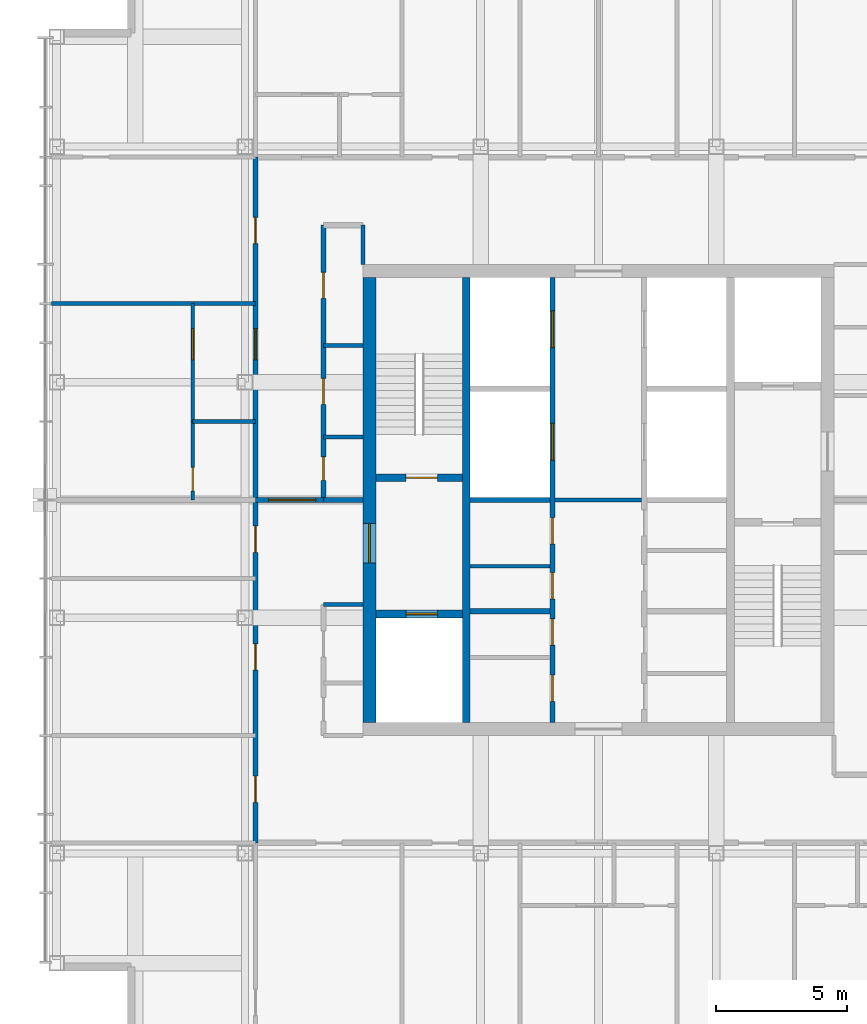
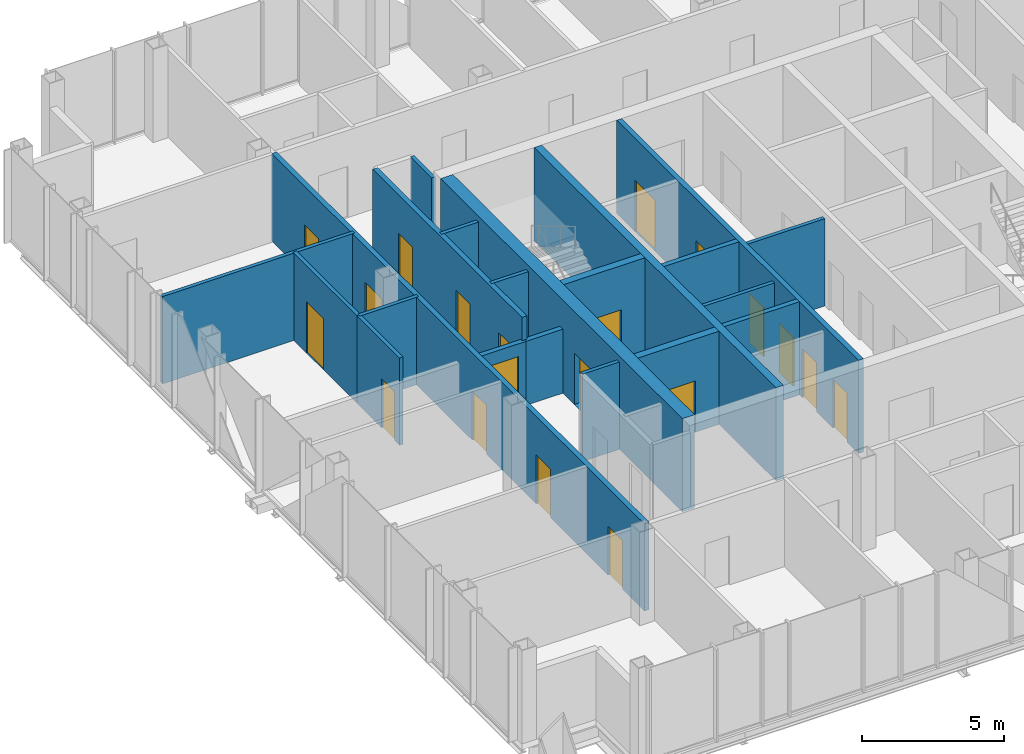
# One storey, part 8 of 12: 21 walls, 20 doors, 20 openings.
"""IFC4 building model written with IfcOpenShell, lengths in metres."""

from ifc_helpers import new_model, si_unit, direction, frame, frame_2d, origin, place, context, subcontext, project, spatial, rectangle, extrude, material, layer, layer_set, type_object, element, fill, save


model = new_model("IFC4")

# Units and contexts
model_context = context("Model", 3, precision=1e-05, world=origin(), true_north=direction((0.0, 1.0)))
body_context = subcontext(model_context, "Body", "Model", "MODEL_VIEW")
ifc_project = project(units=[si_unit("LENGTHUNIT", "METRE"), si_unit("AREAUNIT", "SQUARE_METRE"), si_unit("VOLUMEUNIT", "CUBIC_METRE"), si_unit("PLANEANGLEUNIT", "RADIAN"), si_unit("MASSUNIT", "GRAM", prefix="KILO")], contexts=[model_context])

# Site, building, storey
site_placement = place(None, origin())
site = spatial("IfcSite", under=ifc_project, at=site_placement, CompositionType="ELEMENT")
building_placement = place(site_placement, origin())
building = spatial("IfcBuilding", under=site, at=building_placement, Name="Malebo Sky Hospital", CompositionType="ELEMENT")
storey_placement = place(building_placement, frame((0.0, 0.0, 270.0)))
storey = spatial("IfcBuildingStorey", under=building, at=storey_placement, Name="L65", CompositionType="ELEMENT", Elevation=270.0)

# Wall, openings, doors
ifc_material_1 = material(Name="Concrete C80/95", Category="concrete")
ifc_layer_1 = layer(ifc_material_1, 0.199951171875)
ifc_layer_set_1 = layer_set([ifc_layer_1], Name="CORE INNER WALL 200")
wall_type_1 = type_object("IfcWallType", Name="CORE INNER WALL 200", PredefinedType="SHEAR", material=ifc_layer_set_1)
wall_1_placement = place(storey_placement, frame((58.25, 53.5, 0.0), z_axis=(0.0, 0.0, 1.0), x_axis=(0.0, 1.0, 0.0)))
wall_1 = element("IfcWall", 1, at=wall_1_placement, inside=storey, type_object=wall_type_1, Name="Core wall LW L65", PredefinedType="SHEAR", context=body_context, shape_type="SweptSolid", body=[
    extrude(rectangle(XDim=17.0, YDim=0.199951171875, at=frame_2d((8.5, 0.0))), origin(), (0.0, 0.0, 1.0), 4.0),
])
opening_1_placement = place(wall_1_placement, frame((0.8076171875, 0.0, 0.0)))
opening_1 = element("IfcOpeningElement", 2, at=opening_1_placement, cuts=wall_1, Name="Opening D17", PredefinedType="OPENING", context=body_context, shape_type="SweptSolid", body=[
    extrude(rectangle(XDim=1.0, YDim=2.10009765625, at=frame_2d((0.5, 1.050048828125))), frame((0.0, 0.10986328125, 0.0), z_axis=(0.0, -1.0, 0.0), x_axis=(1.0, 0.0, 0.0)), (0.0, 0.0, 1.0), 0.219970703125),
])
opening_2_placement = place(wall_1_placement, frame((2.95751953125, 0.0, 0.0)))
opening_2 = element("IfcOpeningElement", 3, at=opening_2_placement, cuts=wall_1, Name="Opening D17", PredefinedType="OPENING", context=body_context, shape_type="SweptSolid", body=[
    extrude(rectangle(XDim=1.0, YDim=2.10009765625, at=frame_2d((0.5, 1.050048828125))), frame((0.0, 0.10986328125, 0.0), z_axis=(0.0, -1.0, 0.0), x_axis=(1.0, 0.0, 0.0)), (0.0, 0.0, 1.0), 0.219970703125),
])
opening_3_placement = place(wall_1_placement, frame((4.722412109375, 0.0, 0.0)))
opening_3 = element("IfcOpeningElement", 4, at=opening_3_placement, cuts=wall_1, Name="Opening D17", PredefinedType="OPENING", context=body_context, shape_type="SweptSolid", body=[
    extrude(rectangle(XDim=1.0, YDim=2.10009765625, at=frame_2d((0.5, 1.050048828125))), frame((0.0, 0.10986328125, 0.0), z_axis=(0.0, -1.0, 0.0), x_axis=(1.0, 0.0, 0.0)), (0.0, 0.0, 1.0), 0.219970703125),
])
opening_4_placement = place(wall_1_placement, frame((6.822509765625, 0.0, 0.0)))
opening_4 = element("IfcOpeningElement", 5, at=opening_4_placement, cuts=wall_1, Name="Opening D17", PredefinedType="OPENING", context=body_context, shape_type="SweptSolid", body=[
    extrude(rectangle(XDim=1.0, YDim=2.10009765625, at=frame_2d((0.5, 1.050048828125))), frame((0.0, 0.10986328125, 0.0), z_axis=(0.0, -1.0, 0.0), x_axis=(1.0, 0.0, 0.0)), (0.0, 0.0, 1.0), 0.219970703125),
])
opening_5_placement = place(wall_1_placement, frame((10.02490234375, 0.0, 0.0)))
opening_5 = element("IfcOpeningElement", 6, at=opening_5_placement, cuts=wall_1, Name="Opening LD1", PredefinedType="OPENING", context=body_context, shape_type="SweptSolid", body=[
    extrude(rectangle(XDim=1.39990234375, YDim=2.199951171875, at=frame_2d((0.699951171875, 1.10009765625))), frame((0.0, 0.10986328125, 0.0), z_axis=(0.0, -1.0, 0.0), x_axis=(1.0, 0.0, 0.0)), (0.0, 0.0, 1.0), 0.219970703125),
])
opening_6_placement = place(wall_1_placement, frame((14.324951171875, 0.0, 0.0)))
opening_6 = element("IfcOpeningElement", 7, at=opening_6_placement, cuts=wall_1, Name="Opening LD1", PredefinedType="OPENING", context=body_context, shape_type="SweptSolid", body=[
    extrude(rectangle(XDim=1.39990234375, YDim=2.199951171875, at=frame_2d((0.699951171875, 1.10009765625))), frame((0.0, 0.10986328125, 0.0), z_axis=(0.0, -1.0, 0.0), x_axis=(1.0, 0.0, 0.0)), (0.0, 0.0, 1.0), 0.219970703125),
])
ifc_material_2 = material(Name="Hardwood-faced door leaf in steel frame", Category="steel")
door_type_1 = type_object("IfcDoorType", Name="FIRE DOOR 1000", OperationType="SINGLE_SWING_LEFT", PredefinedType="DOOR", material=ifc_material_2)
door_1_placement = place(opening_1_placement, origin())
door_1 = element("IfcDoor", 8, at=door_1_placement, inside=storey, type_object=door_type_1, Name="Records store door", OperationType="SINGLE_SWING_RIGHT", OverallHeight=2.10009765625, OverallWidth=1.0, PredefinedType="DOOR", context=body_context, shape_type="SweptSolid", body=[
    extrude(rectangle(XDim=1.0, YDim=2.10009765625, at=frame_2d((0.5, 1.050048828125))), frame((0.0, 0.02490234375, 0.0), z_axis=(0.0, -1.0, 0.0), x_axis=(1.0, 0.0, 0.0)), (0.0, 0.0, 1.0), 0.050048828125),
])
fill(opening_1, door_1)
door_2_placement = place(opening_2_placement, origin())
door_2 = element("IfcDoor", 9, at=door_2_placement, inside=storey, type_object=door_type_1, Name="Equipment store door", OperationType="SINGLE_SWING_RIGHT", OverallHeight=2.10009765625, OverallWidth=1.0, PredefinedType="DOOR", context=body_context, shape_type="SweptSolid", body=[
    extrude(rectangle(XDim=1.0, YDim=2.10009765625, at=frame_2d((0.5, 1.050048828125))), frame((0.0, 0.02490234375, 0.0), z_axis=(0.0, -1.0, 0.0), x_axis=(1.0, 0.0, 0.0)), (0.0, 0.0, 1.0), 0.050048828125),
])
fill(opening_2, door_2)
door_3_placement = place(opening_3_placement, origin())
door_3 = element("IfcDoor", 10, at=door_3_placement, inside=storey, type_object=door_type_1, Name="Linen store door", OperationType="SINGLE_SWING_RIGHT", OverallHeight=2.10009765625, OverallWidth=1.0, PredefinedType="DOOR", context=body_context, shape_type="SweptSolid", body=[
    extrude(rectangle(XDim=1.0, YDim=2.10009765625, at=frame_2d((0.5, 1.050048828125))), frame((0.0, 0.02490234375, 0.0), z_axis=(0.0, -1.0, 0.0), x_axis=(1.0, 0.0, 0.0)), (0.0, 0.0, 1.0), 0.050048828125),
])
fill(opening_3, door_3)
door_4_placement = place(opening_4_placement, origin())
door_4 = element("IfcDoor", 11, at=door_4_placement, inside=storey, type_object=door_type_1, Name="Supplies store door", OperationType="SINGLE_SWING_RIGHT", OverallHeight=2.10009765625, OverallWidth=1.0, PredefinedType="DOOR", context=body_context, shape_type="SweptSolid", body=[
    extrude(rectangle(XDim=1.0, YDim=2.10009765625, at=frame_2d((0.5, 1.050048828125))), frame((0.0, 0.02490234375, 0.0), z_axis=(0.0, -1.0, 0.0), x_axis=(1.0, 0.0, 0.0)), (0.0, 0.0, 1.0), 0.050048828125),
])
fill(opening_4, door_4)
ifc_material_3 = material(Name="Stainless steel sliding landing door", Category="steel")
door_type_2 = type_object("IfcDoorType", Name="LIFT LANDING DOOR 1400", OperationType="SLIDING_TO_LEFT", PredefinedType="DOOR", material=ifc_material_3)
door_5_placement = place(opening_5_placement, origin())
door_5 = element("IfcDoor", 12, at=door_5_placement, inside=storey, type_object=door_type_2, Name="Lift W3 landing door", OperationType="SLIDING_TO_LEFT", OverallHeight=2.199951171875, OverallWidth=1.39990234375, PredefinedType="DOOR", context=body_context, shape_type="SweptSolid", body=[
    extrude(rectangle(XDim=1.39990234375, YDim=2.199951171875, at=frame_2d((0.699951171875, 1.10009765625))), frame((0.0, 0.02490234375, 0.0), z_axis=(0.0, -1.0, 0.0), x_axis=(1.0, 0.0, 0.0)), (0.0, 0.0, 1.0), 0.050048828125),
])
fill(opening_5, door_5)
door_6_placement = place(opening_6_placement, origin())
door_6 = element("IfcDoor", 13, at=door_6_placement, inside=storey, type_object=door_type_2, Name="Lift W4 landing door", OperationType="SLIDING_TO_LEFT", OverallHeight=2.199951171875, OverallWidth=1.39990234375, PredefinedType="DOOR", context=body_context, shape_type="SweptSolid", body=[
    extrude(rectangle(XDim=1.39990234375, YDim=2.199951171875, at=frame_2d((0.699951171875, 1.10009765625))), frame((0.0, 0.02490234375, 0.0), z_axis=(0.0, -1.0, 0.0), x_axis=(1.0, 0.0, 0.0)), (0.0, 0.0, 1.0), 0.050048828125),
])
fill(opening_6, door_6)

# Walls
for number, where, z_axis, x_axis, name in (
    (14, (55.10009765625, 57.75, 0.0), (0.0, 0.0, 1.0), (1.0, 0.0, 0.0), "Core wall SW0 L65"),
    (15, (55.10009765625, 62.0, 0.0), (0.0, 0.0, 1.0), (1.0, 0.0, 0.0), "Core wall SW1 L65"),
):
    element("IfcWall", number, at=place(storey_placement, frame(where, z_axis=z_axis, x_axis=x_axis)), inside=storey, type_object=wall_type_1, Name=name, PredefinedType="SHEAR", context=body_context, shape_type="SweptSolid", body=[
        extrude(rectangle(XDim=3.0498046875, YDim=0.199951171875, at=frame_2d((1.52490234375, 0.0))), origin(), (0.0, 0.0, 1.0), 4.0),
    ])
ifc_layer_2 = layer(ifc_material_1, 0.300048828125)
ifc_layer_set_2 = layer_set([ifc_layer_2], Name="CORE INNER WALL 300")
wall_type_2 = type_object("IfcWallType", Name="CORE INNER WALL 300", PredefinedType="SHEAR", material=ifc_layer_set_2)
wall_2_placement = place(storey_placement, frame((54.949951171875, 53.5, 0.0), z_axis=(0.0, 0.0, 1.0), x_axis=(0.0, 1.0, 0.0)))
element("IfcWall", 16, at=wall_2_placement, inside=storey, type_object=wall_type_2, Name="Core wall XW L65", PredefinedType="SHEAR", context=body_context, shape_type="SweptSolid", body=[
    extrude(rectangle(XDim=17.0, YDim=0.300048828125, at=frame_2d((8.5, 0.0))), origin(), (0.0, 0.0, 1.0), 4.0),
])

# Wall, opening, door
wall_3_placement = place(storey_placement, frame((51.5, 62.85009765625, 0.0), z_axis=(0.0, 0.0, 1.0), x_axis=(1.0, 0.0, 0.0)))
wall_3 = element("IfcWall", 17, at=wall_3_placement, inside=storey, type_object=wall_type_2, Name="Core wall W1 L65", PredefinedType="SHEAR", context=body_context, shape_type="SweptSolid", body=[
    extrude(rectangle(XDim=3.300048828125, YDim=0.300048828125, at=frame_2d((1.64990234375, 0.0))), origin(), (0.0, 0.0, 1.0), 4.0),
])
opening_7_placement = place(wall_3_placement, frame((1.14990234375, 0.0, 0.0)))
opening_7 = element("IfcOpeningElement", 18, at=opening_7_placement, cuts=wall_3, Name="Opening D08", PredefinedType="OPENING", context=body_context, shape_type="SweptSolid", body=[
    extrude(rectangle(XDim=1.199951171875, YDim=2.10009765625, at=frame_2d((0.60009765625, 1.050048828125))), frame((0.0, 0.159912109375, 0.0), z_axis=(0.0, -1.0, 0.0), x_axis=(1.0, 0.0, 0.0)), (0.0, 0.0, 1.0), 0.320068359375),
])
door_type_3 = type_object("IfcDoorType", Name="STAIR DOOR 1200", OperationType="SINGLE_SWING_LEFT", PredefinedType="DOOR", material=ifc_material_2)
door_7_placement = place(opening_7_placement, origin())
door_7 = element("IfcDoor", 19, at=door_7_placement, inside=storey, type_object=door_type_3, Name="Stair S1 door", OperationType="SINGLE_SWING_RIGHT", OverallHeight=2.10009765625, OverallWidth=1.199951171875, PredefinedType="DOOR", context=body_context, shape_type="SweptSolid", body=[
    extrude(rectangle(XDim=1.199951171875, YDim=2.10009765625, at=frame_2d((0.60009765625, 1.050048828125))), frame((0.0, 0.02490234375, 0.0), z_axis=(0.0, -1.0, 0.0), x_axis=(1.0, 0.0, 0.0)), (0.0, 0.0, 1.0), 0.050048828125),
])
fill(opening_7, door_7)

wall_4_placement = place(storey_placement, frame((51.5, 57.64990234375, 0.0), z_axis=(0.0, 0.0, 1.0), x_axis=(1.0, 0.0, 0.0)))
wall_4 = element("IfcWall", 20, at=wall_4_placement, inside=storey, type_object=wall_type_2, Name="Core wall W2 L65", PredefinedType="SHEAR", context=body_context, shape_type="SweptSolid", body=[
    extrude(rectangle(XDim=3.300048828125, YDim=0.300048828125, at=frame_2d((1.64990234375, 0.0))), origin(), (0.0, 0.0, 1.0), 4.0),
])
opening_8_placement = place(wall_4_placement, frame((1.14990234375, 0.0, 0.0)))
opening_8 = element("IfcOpeningElement", 21, at=opening_8_placement, cuts=wall_4, Name="Opening LD2", PredefinedType="OPENING", context=body_context, shape_type="SweptSolid", body=[
    extrude(rectangle(XDim=1.199951171875, YDim=2.199951171875, at=frame_2d((0.60009765625, 1.10009765625))), frame((0.0, 0.159912109375, 0.0), z_axis=(0.0, -1.0, 0.0), x_axis=(1.0, 0.0, 0.0)), (0.0, 0.0, 1.0), 0.320068359375),
])
door_type_4 = type_object("IfcDoorType", Name="FIRE-FIGHTING LIFT LANDING DOOR 1200", OperationType="SLIDING_TO_LEFT", PredefinedType="DOOR", material=ifc_material_3)
door_8_placement = place(opening_8_placement, origin())
door_8 = element("IfcDoor", 22, at=door_8_placement, inside=storey, type_object=door_type_4, Name="Lift FL1 landing door", OperationType="SLIDING_TO_LEFT", OverallHeight=2.199951171875, OverallWidth=1.199951171875, PredefinedType="DOOR", context=body_context, shape_type="SweptSolid", body=[
    extrude(rectangle(XDim=1.199951171875, YDim=2.199951171875, at=frame_2d((0.60009765625, 1.10009765625))), frame((0.0, 0.02490234375, 0.0), z_axis=(0.0, -1.0, 0.0), x_axis=(1.0, 0.0, 0.0)), (0.0, 0.0, 1.0), 0.050048828125),
])
fill(opening_8, door_8)

ifc_layer_3 = layer(ifc_material_1, 0.5)
ifc_layer_set_3 = layer_set([ifc_layer_3], Name="CORE WALL 500")
wall_type_3 = type_object("IfcWallType", Name="CORE WALL 500", PredefinedType="SHEAR", material=ifc_layer_set_3)
wall_5_placement = place(storey_placement, frame((51.25, 53.5, 0.0), z_axis=(0.0, 0.0, 1.0), x_axis=(0.0, 1.0, 0.0)))
wall_5 = element("IfcWall", 23, at=wall_5_placement, inside=storey, type_object=wall_type_3, Name="Core wall W L65", PredefinedType="SHEAR", context=body_context, shape_type="SweptSolid", body=[
    extrude(rectangle(XDim=17.0, YDim=0.5, at=frame_2d((8.5, 0.0))), origin(), (0.0, 0.0, 1.0), 4.0),
])
opening_9_placement = place(wall_5_placement, frame((6.10009765625, 0.0, 0.0)))
opening_9 = element("IfcOpeningElement", 24, at=opening_9_placement, cuts=wall_5, Name="Opening D07", PredefinedType="OPENING", context=body_context, shape_type="SweptSolid", body=[
    extrude(rectangle(XDim=1.5, YDim=2.199951171875, at=frame_2d((0.75, 1.10009765625))), frame((0.0, 0.260009765625, 0.0), z_axis=(0.0, -1.0, 0.0), x_axis=(1.0, 0.0, 0.0)), (0.0, 0.0, 1.0), 0.52001953125),
])
door_type_5 = type_object("IfcDoorType", Name="FIRE-FIGHTING LOBBY DOOR PAIR 1500", OperationType="DOUBLE_DOOR_SINGLE_SWING", PredefinedType="DOOR", material=ifc_material_2)
door_9_placement = place(opening_9_placement, origin())
door_9 = element("IfcDoor", 25, at=door_9_placement, inside=storey, type_object=door_type_5, Name="Fire-fighting lobby door west", OperationType="DOUBLE_DOOR_SINGLE_SWING", OverallHeight=2.199951171875, OverallWidth=1.5, PredefinedType="DOOR", context=body_context, shape_type="SweptSolid", body=[
    extrude(rectangle(XDim=1.5, YDim=2.199951171875, at=frame_2d((0.75, 1.10009765625))), frame((0.0, 0.02490234375, 0.0), z_axis=(0.0, -1.0, 0.0), x_axis=(1.0, 0.0, 0.0)), (0.0, 0.0, 1.0), 0.050048828125),
])
fill(opening_9, door_9)

# Wall, openings, doors
ifc_material_4 = material(Name="Gypsum board on steel studs", Category="steel")
ifc_layer_4 = layer(ifc_material_4, 0.199951171875)
ifc_layer_set_4 = layer_set([ifc_layer_4], Name="CORRIDOR WALL 200")
wall_type_4 = type_object("IfcWallType", Name="CORRIDOR WALL 200", PredefinedType="PARTITIONING", material=ifc_layer_set_4)
wall_6_placement = place(storey_placement, frame((46.89990234375, 48.89990234375, 0.0), z_axis=(0.0, 0.0, 1.0), x_axis=(0.0, 1.0, 0.0)))
wall_6 = element("IfcWall", 26, at=wall_6_placement, inside=storey, type_object=wall_type_4, Name="Corridor Wall 200 WCO", PredefinedType="PARTITIONING", context=body_context, shape_type="SweptSolid", body=[
    extrude(rectangle(XDim=26.2001953125, YDim=0.199951171875, at=frame_2d((13.10009765625, 0.0))), origin(), (0.0, 0.0, 1.0), 3.75),
])
opening_10_placement = place(wall_6_placement, frame((1.550048828125, 0.0, 0.0)))
opening_10 = element("IfcOpeningElement", 27, at=opening_10_placement, cuts=wall_6, Name="Opening D03", PredefinedType="OPENING", context=body_context, shape_type="SweptSolid", body=[
    extrude(rectangle(XDim=1.0, YDim=2.10009765625, at=frame_2d((0.5, 1.050048828125))), frame((0.0, 0.10986328125, 0.0), z_axis=(0.0, -1.0, 0.0), x_axis=(1.0, 0.0, 0.0)), (0.0, 0.0, 1.0), 0.219970703125),
])
opening_11_placement = place(wall_6_placement, frame((6.60009765625, 0.0, 0.0)))
opening_11 = element("IfcOpeningElement", 28, at=opening_11_placement, cuts=wall_6, Name="Opening D03", PredefinedType="OPENING", context=body_context, shape_type="SweptSolid", body=[
    extrude(rectangle(XDim=1.0, YDim=2.10009765625, at=frame_2d((0.5, 1.050048828125))), frame((0.0, 0.10986328125, 0.0), z_axis=(0.0, -1.0, 0.0), x_axis=(1.0, 0.0, 0.0)), (0.0, 0.0, 1.0), 0.219970703125),
])
opening_12_placement = place(wall_6_placement, frame((11.10009765625, 0.0, 0.0)))
opening_12 = element("IfcOpeningElement", 29, at=opening_12_placement, cuts=wall_6, Name="Opening D03", PredefinedType="OPENING", context=body_context, shape_type="SweptSolid", body=[
    extrude(rectangle(XDim=1.0, YDim=2.10009765625, at=frame_2d((0.5, 1.050048828125))), frame((0.0, 0.10986328125, 0.0), z_axis=(0.0, -1.0, 0.0), x_axis=(1.0, 0.0, 0.0)), (0.0, 0.0, 1.0), 0.219970703125),
])
opening_13_placement = place(wall_6_placement, frame((18.449951171875, 0.0, 0.0)))
opening_13 = element("IfcOpeningElement", 30, at=opening_13_placement, cuts=wall_6, Name="Opening D18", PredefinedType="OPENING", context=body_context, shape_type="SweptSolid", body=[
    extrude(rectangle(XDim=1.199951171875, YDim=2.199951171875, at=frame_2d((0.60009765625, 1.10009765625))), frame((0.0, 0.10986328125, 0.0), z_axis=(0.0, -1.0, 0.0), x_axis=(1.0, 0.0, 0.0)), (0.0, 0.0, 1.0), 0.219970703125),
])
opening_14_placement = place(wall_6_placement, frame((22.89990234375, 0.0, 0.0)))
opening_14 = element("IfcOpeningElement", 31, at=opening_14_placement, cuts=wall_6, Name="Opening D03", PredefinedType="OPENING", context=body_context, shape_type="SweptSolid", body=[
    extrude(rectangle(XDim=1.0, YDim=2.10009765625, at=frame_2d((0.5, 1.050048828125))), frame((0.0, 0.10986328125, 0.0), z_axis=(0.0, -1.0, 0.0), x_axis=(1.0, 0.0, 0.0)), (0.0, 0.0, 1.0), 0.219970703125),
])
door_type_6 = type_object("IfcDoorType", Name="ANTEROOM DOOR 1200", OperationType="SINGLE_SWING_LEFT", PredefinedType="DOOR", material=ifc_material_2)
door_10_placement = place(opening_13_placement, origin())
door_10 = element("IfcDoor", 32, at=door_10_placement, inside=storey, type_object=door_type_6, Name="Anteroom door", OperationType="SINGLE_SWING_RIGHT", OverallHeight=2.199951171875, OverallWidth=1.199951171875, PredefinedType="DOOR", context=body_context, shape_type="SweptSolid", body=[
    extrude(rectangle(XDim=1.199951171875, YDim=2.199951171875, at=frame_2d((0.60009765625, 1.10009765625))), frame((0.0, 0.02490234375, 0.0), z_axis=(0.0, -1.0, 0.0), x_axis=(1.0, 0.0, 0.0)), (0.0, 0.0, 1.0), 0.050048828125),
])
fill(opening_13, door_10)
door_type_7 = type_object("IfcDoorType", Name="ROOM DOOR 1000", OperationType="SINGLE_SWING_LEFT", PredefinedType="DOOR", material=ifc_material_2)
door_11_placement = place(opening_10_placement, origin())
door_11 = element("IfcDoor", 33, at=door_11_placement, inside=storey, type_object=door_type_7, Name="Dirty utility room door", OperationType="SINGLE_SWING_LEFT", OverallHeight=2.10009765625, OverallWidth=1.0, PredefinedType="DOOR", context=body_context, shape_type="SweptSolid", body=[
    extrude(rectangle(XDim=1.0, YDim=2.10009765625, at=frame_2d((0.5, 1.050048828125))), frame((0.0, 0.02490234375, 0.0), z_axis=(0.0, -1.0, 0.0), x_axis=(1.0, 0.0, 0.0)), (0.0, 0.0, 1.0), 0.050048828125),
])
fill(opening_10, door_11)
door_12_placement = place(opening_11_placement, origin())
door_12 = element("IfcDoor", 34, at=door_12_placement, inside=storey, type_object=door_type_7, Name="Stem cell infusion room door", OperationType="SINGLE_SWING_LEFT", OverallHeight=2.10009765625, OverallWidth=1.0, PredefinedType="DOOR", context=body_context, shape_type="SweptSolid", body=[
    extrude(rectangle(XDim=1.0, YDim=2.10009765625, at=frame_2d((0.5, 1.050048828125))), frame((0.0, 0.02490234375, 0.0), z_axis=(0.0, -1.0, 0.0), x_axis=(1.0, 0.0, 0.0)), (0.0, 0.0, 1.0), 0.050048828125),
])
fill(opening_11, door_12)
door_13_placement = place(opening_12_placement, origin())
door_13 = element("IfcDoor", 35, at=door_13_placement, inside=storey, type_object=door_type_7, Name="Ward office door", OperationType="SINGLE_SWING_RIGHT", OverallHeight=2.10009765625, OverallWidth=1.0, PredefinedType="DOOR", context=body_context, shape_type="SweptSolid", body=[
    extrude(rectangle(XDim=1.0, YDim=2.10009765625, at=frame_2d((0.5, 1.050048828125))), frame((0.0, 0.02490234375, 0.0), z_axis=(0.0, -1.0, 0.0), x_axis=(1.0, 0.0, 0.0)), (0.0, 0.0, 1.0), 0.050048828125),
])
fill(opening_12, door_13)
door_14_placement = place(opening_14_placement, origin())
door_14 = element("IfcDoor", 36, at=door_14_placement, inside=storey, type_object=door_type_7, Name="Family room door", OperationType="SINGLE_SWING_RIGHT", OverallHeight=2.10009765625, OverallWidth=1.0, PredefinedType="DOOR", context=body_context, shape_type="SweptSolid", body=[
    extrude(rectangle(XDim=1.0, YDim=2.10009765625, at=frame_2d((0.5, 1.050048828125))), frame((0.0, 0.02490234375, 0.0), z_axis=(0.0, -1.0, 0.0), x_axis=(1.0, 0.0, 0.0)), (0.0, 0.0, 1.0), 0.050048828125),
])
fill(opening_14, door_14)

wall_7_placement = place(storey_placement, frame((49.5, 62.0, 0.0), z_axis=(0.0, 0.0, 1.0), x_axis=(0.0, 1.0, 0.0)))
wall_7 = element("IfcWall", 37, at=wall_7_placement, inside=storey, type_object=wall_type_4, Name="Corridor Wall 200 WCI2", PredefinedType="PARTITIONING", context=body_context, shape_type="SweptSolid", body=[
    extrude(rectangle(XDim=10.5, YDim=0.199951171875, at=frame_2d((5.25, 0.0))), origin(), (0.0, 0.0, 1.0), 3.75),
])
opening_15_placement = place(wall_7_placement, frame((0.75, 0.0, 0.0)))
opening_15 = element("IfcOpeningElement", 38, at=opening_15_placement, cuts=wall_7, Name="Opening D04", PredefinedType="OPENING", context=body_context, shape_type="SweptSolid", body=[
    extrude(rectangle(XDim=0.89990234375, YDim=2.10009765625, at=frame_2d((0.449951171875, 1.050048828125))), frame((0.0, 0.10986328125, 0.0), z_axis=(0.0, -1.0, 0.0), x_axis=(1.0, 0.0, 0.0)), (0.0, 0.0, 1.0), 0.219970703125),
])
opening_16_placement = place(wall_7_placement, frame((3.64990234375, 0.0, 0.0)))
opening_16 = element("IfcOpeningElement", 39, at=opening_16_placement, cuts=wall_7, Name="Opening D03", PredefinedType="OPENING", context=body_context, shape_type="SweptSolid", body=[
    extrude(rectangle(XDim=1.0, YDim=2.10009765625, at=frame_2d((0.5, 1.050048828125))), frame((0.0, 0.10986328125, 0.0), z_axis=(0.0, -1.0, 0.0), x_axis=(1.0, 0.0, 0.0)), (0.0, 0.0, 1.0), 0.219970703125),
])
opening_17_placement = place(wall_7_placement, frame((7.699951171875, 0.0, 0.0)))
opening_17 = element("IfcOpeningElement", 40, at=opening_17_placement, cuts=wall_7, Name="Opening D03", PredefinedType="OPENING", context=body_context, shape_type="SweptSolid", body=[
    extrude(rectangle(XDim=1.0, YDim=2.10009765625, at=frame_2d((0.5, 1.050048828125))), frame((0.0, 0.10986328125, 0.0), z_axis=(0.0, -1.0, 0.0), x_axis=(1.0, 0.0, 0.0)), (0.0, 0.0, 1.0), 0.219970703125),
])
door_15_placement = place(opening_16_placement, origin())
door_15 = element("IfcDoor", 41, at=door_15_placement, inside=storey, type_object=door_type_7, Name="Sterile supplies store door", OperationType="SINGLE_SWING_LEFT", OverallHeight=2.10009765625, OverallWidth=1.0, PredefinedType="DOOR", context=body_context, shape_type="SweptSolid", body=[
    extrude(rectangle(XDim=1.0, YDim=2.10009765625, at=frame_2d((0.5, 1.050048828125))), frame((0.0, 0.02490234375, 0.0), z_axis=(0.0, -1.0, 0.0), x_axis=(1.0, 0.0, 0.0)), (0.0, 0.0, 1.0), 0.050048828125),
])
fill(opening_16, door_15)
door_16_placement = place(opening_17_placement, origin())
door_16 = element("IfcDoor", 42, at=door_16_placement, inside=storey, type_object=door_type_7, Name="Equipment store door", OperationType="SINGLE_SWING_RIGHT", OverallHeight=2.10009765625, OverallWidth=1.0, PredefinedType="DOOR", context=body_context, shape_type="SweptSolid", body=[
    extrude(rectangle(XDim=1.0, YDim=2.10009765625, at=frame_2d((0.5, 1.050048828125))), frame((0.0, 0.02490234375, 0.0), z_axis=(0.0, -1.0, 0.0), x_axis=(1.0, 0.0, 0.0)), (0.0, 0.0, 1.0), 0.050048828125),
])
fill(opening_17, door_16)
door_type_8 = type_object("IfcDoorType", Name="ROOM DOOR 900", OperationType="SINGLE_SWING_LEFT", PredefinedType="DOOR", material=ifc_material_2)
door_17_placement = place(opening_15_placement, origin())
door_17 = element("IfcDoor", 43, at=door_17_placement, inside=storey, type_object=door_type_8, Name="Cleaner's room door", OperationType="SINGLE_SWING_LEFT", OverallHeight=2.10009765625, OverallWidth=0.89990234375, PredefinedType="DOOR", context=body_context, shape_type="SweptSolid", body=[
    extrude(rectangle(XDim=0.89990234375, YDim=2.10009765625, at=frame_2d((0.449951171875, 1.050048828125))), frame((0.0, 0.02490234375, 0.0), z_axis=(0.0, -1.0, 0.0), x_axis=(1.0, 0.0, 0.0)), (0.0, 0.0, 1.0), 0.050048828125),
])
fill(opening_15, door_17)

# Walls
ifc_layer_5 = layer(ifc_material_4, 0.14990234375)
ifc_layer_set_5 = layer_set([ifc_layer_5], Name="PARTITION 150")
wall_type_5 = type_object("IfcWallType", Name="PARTITION 150", PredefinedType="PARTITIONING", material=ifc_layer_set_5)
wall_8_placement = place(storey_placement, frame((51.0, 71.0, 0.0), z_axis=(0.0, 0.0, 1.0), x_axis=(0.0, 1.0, 0.0)))
element("IfcWall", 44, at=wall_8_placement, inside=storey, type_object=wall_type_5, Name="Partition 150 NSP0", PredefinedType="PARTITIONING", context=body_context, shape_type="SweptSolid", body=[
    extrude(rectangle(XDim=1.5, YDim=0.14990234375, at=frame_2d((0.75, 0.0))), origin(), (0.0, 0.0, 1.0), 3.75),
])
wall_9_placement = place(storey_placement, frame((46.89990234375, 69.5, 0.0), z_axis=(0.0, 0.0, 1.0), x_axis=(-1.0, 0.0, 0.0)))
element("IfcWall", 45, at=wall_9_placement, inside=storey, type_object=wall_type_5, Name="Partition 150 WP+7.5", PredefinedType="PARTITIONING", context=body_context, shape_type="SweptSolid", body=[
    extrude(rectangle(XDim=7.7998046875, YDim=0.14990234375, at=frame_2d((3.89990234375, 0.0))), origin(), (0.0, 0.0, 1.0), 3.75),
])

# Wall, opening, door
wall_10_placement = place(storey_placement, frame((44.5, 62.0, 0.0), z_axis=(0.0, 0.0, 1.0), x_axis=(0.0, 1.0, 0.0)))
wall_10 = element("IfcWall", 46, at=wall_10_placement, inside=storey, type_object=wall_type_5, Name="Partition 150 WE3F", PredefinedType="PARTITIONING", context=body_context, shape_type="SweptSolid", body=[
    extrude(rectangle(XDim=3.0, YDim=0.14990234375, at=frame_2d((1.5, 0.0))), origin(), (0.0, 0.0, 1.0), 3.75),
])
opening_18_placement = place(wall_10_placement, frame((0.35009765625, 0.0, 0.0)))
opening_18 = element("IfcOpeningElement", 47, at=opening_18_placement, cuts=wall_10, Name="Opening D02", PredefinedType="OPENING", context=body_context, shape_type="SweptSolid", body=[
    extrude(rectangle(XDim=0.89990234375, YDim=2.10009765625, at=frame_2d((0.449951171875, 1.050048828125))), frame((0.0, 0.0849609375, 0.0), z_axis=(0.0, -1.0, 0.0), x_axis=(1.0, 0.0, 0.0)), (0.0, 0.0, 1.0), 0.169921875),
])
door_type_9 = type_object("IfcDoorType", Name="EN-SUITE DOOR 900", OperationType="SINGLE_SWING_LEFT", PredefinedType="DOOR", material=ifc_material_2)
door_18_placement = place(opening_18_placement, origin())
door_18 = element("IfcDoor", 48, at=door_18_placement, inside=storey, type_object=door_type_9, Name="En-suite door", OperationType="SINGLE_SWING_LEFT", OverallHeight=2.10009765625, OverallWidth=0.89990234375, PredefinedType="DOOR", context=body_context, shape_type="SweptSolid", body=[
    extrude(rectangle(XDim=0.89990234375, YDim=2.10009765625, at=frame_2d((0.449951171875, 1.050048828125))), frame((0.0, 0.02490234375, 0.0), z_axis=(0.0, -1.0, 0.0), x_axis=(1.0, 0.0, 0.0)), (0.0, 0.0, 1.0), 0.050048828125),
])
fill(opening_18, door_18)

# Walls
wall_11_placement = place(storey_placement, frame((46.89990234375, 65.0, 0.0), z_axis=(0.0, 0.0, 1.0), x_axis=(-1.0, 0.0, 0.0)))
element("IfcWall", 49, at=wall_11_placement, inside=storey, type_object=wall_type_5, Name="Partition 150 WE3S", PredefinedType="PARTITIONING", context=body_context, shape_type="SweptSolid", body=[
    extrude(rectangle(XDim=2.39990234375, YDim=0.14990234375, at=frame_2d((1.199951171875, 0.0))), origin(), (0.0, 0.0, 1.0), 3.75),
])
for number, where, z_axis, x_axis, name in (
    (50, (51.0, 58.0, 0.0), (0.0, 0.0, 1.0), (-1.0, 0.0, 0.0), "Partition 150 WSPA"),
    (51, (51.0, 64.39990234375, 0.0), (0.0, 0.0, 1.0), (-1.0, 0.0, 0.0), "Partition 150 WSP+2.4"),
    (52, (51.0, 67.89990234375, 0.0), (0.0, 0.0, 1.0), (-1.0, 0.0, 0.0), "Partition 150 WSP+5.9"),
):
    element("IfcWall", number, at=place(storey_placement, frame(where, z_axis=z_axis, x_axis=x_axis)), inside=storey, type_object=wall_type_5, Name=name, PredefinedType="PARTITIONING", context=body_context, shape_type="SweptSolid", body=[
        extrude(rectangle(XDim=1.5, YDim=0.14990234375, at=frame_2d((0.75, 0.0))), origin(), (0.0, 0.0, 1.0), 3.75),
    ])
wall_12_placement = place(storey_placement, frame((55.10009765625, 59.469970703125, 0.0), z_axis=(0.0, 0.0, 1.0), x_axis=(1.0, 0.0, 0.0)))
element("IfcWall", 53, at=wall_12_placement, inside=storey, type_object=wall_type_5, Name="Partition 150 SHW2", PredefinedType="PARTITIONING", context=body_context, shape_type="SweptSolid", body=[
    extrude(rectangle(XDim=3.0498046875, YDim=0.14990234375, at=frame_2d((1.52490234375, 0.0))), origin(), (0.0, 0.0, 1.0), 3.75),
])
wall_13_placement = place(storey_placement, frame((58.35009765625, 62.0, 0.0), z_axis=(0.0, 0.0, 1.0), x_axis=(1.0, 0.0, 0.0)))
element("IfcWall", 54, at=wall_13_placement, inside=storey, type_object=wall_type_5, Name="Partition 150 LBS", PredefinedType="PARTITIONING", context=body_context, shape_type="SweptSolid", body=[
    extrude(rectangle(XDim=3.2998046875, YDim=0.14990234375, at=frame_2d((1.64990234375, 0.0))), origin(), (0.0, 0.0, 1.0), 3.75),
])

# Wall, opening, door
ifc_material_5 = material(Name="Sealed gypsum board on steel studs, taped to the slab", Category="steel")
ifc_layer_6 = layer(ifc_material_5, 0.14990234375)
ifc_layer_set_6 = layer_set([ifc_layer_6], Name="SEALED ISOLATION PARTITION 150")
wall_type_6 = type_object("IfcWallType", Name="SEALED ISOLATION PARTITION 150", PredefinedType="PARTITIONING", material=ifc_layer_set_6)
wall_14_placement = place(storey_placement, frame((44.5, 65.0, 0.0), z_axis=(0.0, 0.0, 1.0), x_axis=(0.0, 1.0, 0.0)))
wall_14 = element("IfcWall", 55, at=wall_14_placement, inside=storey, type_object=wall_type_6, Name="Sealed Isolation Partition 150 WA3F", PredefinedType="PARTITIONING", context=body_context, shape_type="SweptSolid", body=[
    extrude(rectangle(XDim=4.5, YDim=0.14990234375, at=frame_2d((2.25, 0.0))), origin(), (0.0, 0.0, 1.0), 3.75),
])
opening_19_placement = place(wall_14_placement, frame((2.35009765625, 0.0, 0.0)))
opening_19 = element("IfcOpeningElement", 56, at=opening_19_placement, cuts=wall_14, Name="Opening D19", PredefinedType="OPENING", context=body_context, shape_type="SweptSolid", body=[
    extrude(rectangle(XDim=1.199951171875, YDim=2.199951171875, at=frame_2d((0.60009765625, 1.10009765625))), frame((0.0, 0.0849609375, 0.0), z_axis=(0.0, -1.0, 0.0), x_axis=(1.0, 0.0, 0.0)), (0.0, 0.0, 1.0), 0.169921875),
])
ifc_material_6 = material(Name="Hardwood-faced door leaf with perimeter seals in steel frame", Category="steel")
door_type_10 = type_object("IfcDoorType", Name="SEALED ISOLATION ROOM DOOR 1200", OperationType="SINGLE_SWING_LEFT", PredefinedType="DOOR", material=ifc_material_6)
door_19_placement = place(opening_19_placement, origin())
door_19 = element("IfcDoor", 57, at=door_19_placement, inside=storey, type_object=door_type_10, Name="Isolation room door", OperationType="SINGLE_SWING_RIGHT", OverallHeight=2.199951171875, OverallWidth=1.199951171875, PredefinedType="DOOR", context=body_context, shape_type="SweptSolid", body=[
    extrude(rectangle(XDim=1.199951171875, YDim=2.199951171875, at=frame_2d((0.60009765625, 1.10009765625))), frame((0.0, 0.02490234375, 0.0), z_axis=(0.0, -1.0, 0.0), x_axis=(1.0, 0.0, 0.0)), (0.0, 0.0, 1.0), 0.050048828125),
])
fill(opening_19, door_19)

# Wall
ifc_material_7 = material(Name="Concrete blockwork", Category="masonry")
ifc_layer_7 = layer(ifc_material_7, 0.199951171875)
ifc_layer_set_7 = layer_set([ifc_layer_7], Name="SMOKE BARRIER WALL 200")
wall_type_7 = type_object("IfcWallType", Name="SMOKE BARRIER WALL 200", PredefinedType="SOLIDWALL", material=ifc_layer_set_7)
wall_15_placement = place(storey_placement, frame((51.0, 62.0, 0.0), z_axis=(0.0, 0.0, 1.0), x_axis=(-1.0, 0.0, 0.0)))
element("IfcWall", 58, at=wall_15_placement, inside=storey, type_object=wall_type_7, Name="Smoke Barrier Wall 200 WSPB", PredefinedType="SOLIDWALL", context=body_context, shape_type="SweptSolid", body=[
    extrude(rectangle(XDim=1.5, YDim=0.199951171875, at=frame_2d((0.75, 0.0))), origin(), (0.0, 0.0, 1.0), 2.75),
])

# Wall, opening, door
wall_16_placement = place(storey_placement, frame((49.5, 62.0, 0.0), z_axis=(0.0, 0.0, 1.0), x_axis=(-1.0, 0.0, 0.0)))
wall_16 = element("IfcWall", 59, at=wall_16_placement, inside=storey, type_object=wall_type_7, Name="Smoke Barrier Wall 200 WSB", PredefinedType="SOLIDWALL", context=body_context, shape_type="SweptSolid", body=[
    extrude(rectangle(XDim=2.60009765625, YDim=0.199951171875, at=frame_2d((1.300048828125, 0.0))), origin(), (0.0, 0.0, 1.0), 2.75),
])
opening_20_placement = place(wall_16_placement, frame((0.300048828125, 0.0, 0.0)))
opening_20 = element("IfcOpeningElement", 60, at=opening_20_placement, cuts=wall_16, Name="Opening D05", PredefinedType="OPENING", context=body_context, shape_type="SweptSolid", body=[
    extrude(rectangle(XDim=1.800048828125, YDim=2.199951171875, at=frame_2d((0.89990234375, 1.10009765625))), frame((0.0, 0.10986328125, 0.0), z_axis=(0.0, -1.0, 0.0), x_axis=(1.0, 0.0, 0.0)), (0.0, 0.0, 1.0), 0.219970703125),
])
door_type_11 = type_object("IfcDoorType", Name="SMOKE DOOR PAIR 1800", OperationType="DOUBLE_DOOR_DOUBLE_SWING", PredefinedType="DOOR", material=ifc_material_2)
door_20_placement = place(opening_20_placement, origin())
door_20 = element("IfcDoor", 61, at=door_20_placement, inside=storey, type_object=door_type_11, Name="Smoke compartment door pair", OperationType="DOUBLE_DOOR_DOUBLE_SWING", OverallHeight=2.199951171875, OverallWidth=1.800048828125, PredefinedType="DOOR", context=body_context, shape_type="SweptSolid", body=[
    extrude(rectangle(XDim=1.800048828125, YDim=2.199951171875, at=frame_2d((0.89990234375, 1.10009765625))), frame((0.0, 0.02490234375, 0.0), z_axis=(0.0, -1.0, 0.0), x_axis=(1.0, 0.0, 0.0)), (0.0, 0.0, 1.0), 0.050048828125),
])
fill(opening_20, door_20)

save(model, "model.ifc")
